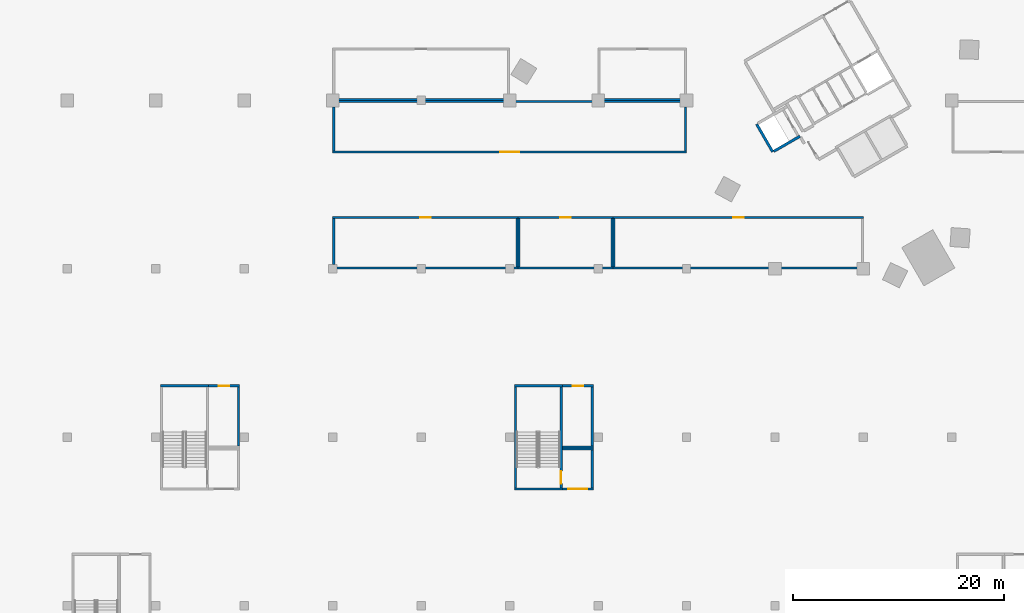
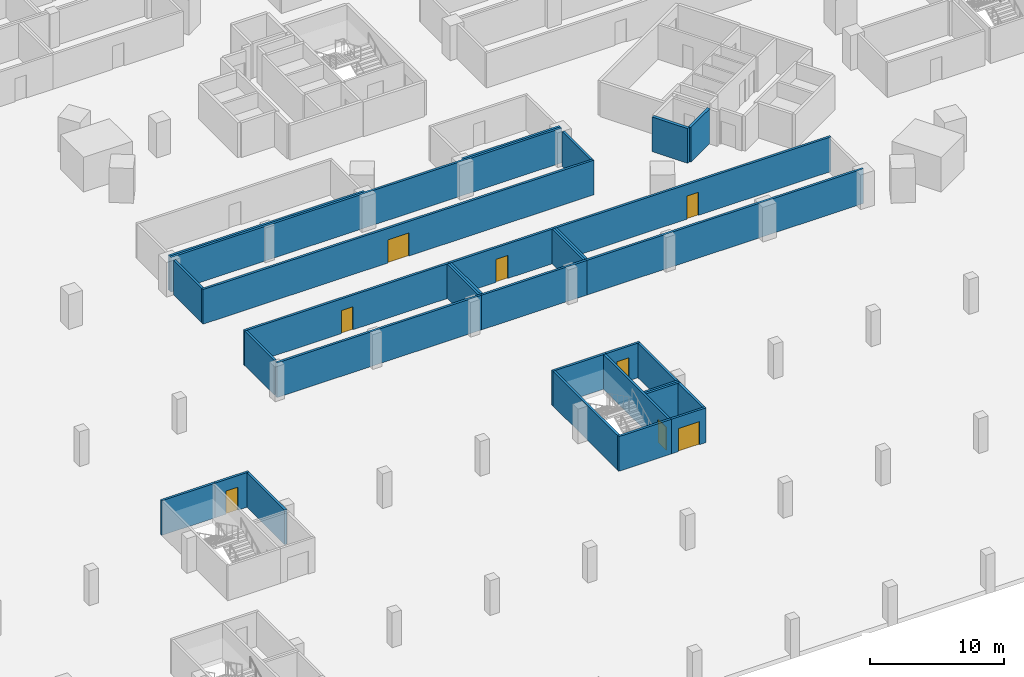
# One storey, part 6 of 37: 32 walls, 8 doors, 8 openings.
"""IFC4 building model written with IfcOpenShell, lengths in metres."""

import ifcopenshell
import ifcopenshell.guid

model = None  # the IFC model being written
_history = None  # IfcOwnerHistory: only IFC2X3 demands one
_inside = {}  # id of a spatial element -> (the spatial element, [elements in it])
_under = {}  # id of a project, library or spatial element -> (it, [spatial elements below it])
_declared = {}  # id of a project -> (the project, [libraries it declares])
_typed = {}  # id of a type object -> (the type object, [elements of that type])
_made_of = {}  # id of a material, layer set ... -> (it, [elements and type objects made of it])


def new_model(schema):
    """Start an empty IFC model of exactly this schema.

    Asked for "IFC4X3", IfcOpenShell would pick the latest addendum, in which some entities
    have other attributes; the version numbers below select the first issue.
    IFC2X3 requires an IfcOwnerHistory on every rooted entity: one is made here for all.
    """
    global model, _history
    if schema == "IFC4X3":
        model = ifcopenshell.file(schema_version=(4, 3, 0, 0))
    else:
        model = ifcopenshell.file(schema=schema)
    _inside.clear()
    _under.clear()
    _declared.clear()
    _typed.clear()
    _made_of.clear()
    _history = None
    if model.schema == "IFC2X3":
        org = make("IfcOrganization", Name="unknown")
        user = make(
            "IfcPersonAndOrganization",
            ThePerson=make("IfcPerson", FamilyName="unknown"),
            TheOrganization=org,
        )
        app = make(
            "IfcApplication",
            ApplicationDeveloper=org,
            Version="unknown",
            ApplicationFullName="unknown",
            ApplicationIdentifier="unknown",
        )
        _history = make(
            "IfcOwnerHistory",
            OwningUser=user,
            OwningApplication=app,
            ChangeAction="ADDED",
            CreationDate=0,
        )
    return model


def make(cls, **values):
    """One entity of the class cls with the attributes given. An attribute that is None is left unset."""
    return model.create_entity(
        cls, **{name: value for name, value in values.items() if value is not None}
    )


def rooted(cls, **values):
    """An entity with a GlobalId (a new one), such as an element, a storey or a relation."""
    return make(cls, GlobalId=ifcopenshell.guid.new(), OwnerHistory=_history, **values)


def si_unit(unit_type, name, prefix=None):
    """IfcSIUnit, for example si_unit("LENGTHUNIT", "METRE", prefix="MILLI")."""
    return make("IfcSIUnit", UnitType=unit_type, Prefix=prefix, Name=name)


def assignment(units):
    """IfcUnitAssignment: the units of a project."""
    return None if units is None else make("IfcUnitAssignment", Units=units)


def point(xyz):
    """IfcCartesianPoint."""
    return None if xyz is None else make("IfcCartesianPoint", Coordinates=xyz)


def direction(xyz):
    """IfcDirection."""
    return None if xyz is None else make("IfcDirection", DirectionRatios=xyz)


def frame(location, z_axis=None, x_axis=None):
    """IfcAxis2Placement3D, a coordinate frame: its origin and axes. An axis left out is left unset."""
    return make(
        "IfcAxis2Placement3D",
        Location=point(location),
        Axis=direction(z_axis),
        RefDirection=direction(x_axis),
    )


def frame_2d(location, x_axis=None):
    """IfcAxis2Placement2D, a coordinate frame in the plane: its origin and x axis."""
    return make(
        "IfcAxis2Placement2D", Location=point(location), RefDirection=direction(x_axis)
    )


def origin():
    """The frame at (0, 0, 0) with its axes left unset."""
    return frame((0.0, 0.0, 0.0))


def place(relative_to, where):
    """IfcLocalPlacement: puts the frame where relative to a parent placement (None: the world)."""
    return make(
        "IfcLocalPlacement", PlacementRelTo=relative_to, RelativePlacement=where
    )


def context(
    kind, dimensions, precision=None, world=None, true_north=None, identifier=None
):
    """IfcGeometricRepresentationContext, for example the 3D "Model" context."""
    return make(
        "IfcGeometricRepresentationContext",
        ContextIdentifier=identifier,
        ContextType=kind,
        CoordinateSpaceDimension=dimensions,
        Precision=precision,
        WorldCoordinateSystem=world,
        TrueNorth=true_north,
    )


def subcontext(parent, identifier, kind, view, scale=None):
    """IfcGeometricRepresentationSubContext, for example "Body" below "Model"."""
    return make(
        "IfcGeometricRepresentationSubContext",
        ContextIdentifier=identifier,
        ContextType=kind,
        ParentContext=parent,
        TargetScale=scale,
        TargetView=view,
    )


def project(units=None, contexts=None):
    """IfcProject with its units and contexts."""
    return rooted(
        "IfcProject",
        Name="project",
        RepresentationContexts=contexts,
        UnitsInContext=assignment(units),
    )


def spatial(cls, under=None, at=None, **own):
    """A site, building, storey or space (cls), placed at a placement, below another one or the project."""
    s = rooted(cls, ObjectPlacement=at, **own)
    if under is not None:
        _under.setdefault(under.id(), (under, []))[1].append(s)
    return s


def profile(cls, at=None, kind="AREA", **sizes):
    """A parametric profile (cls). Its sizes go by their IFC names, for example OverallWidth=200.0."""
    return make(cls, ProfileType=kind, Position=at, **sizes)


def rectangle(**sizes):
    """IfcRectangleProfileDef."""
    return profile("IfcRectangleProfileDef", **sizes)


def extrude(swept, where, along, depth):
    """IfcExtrudedAreaSolid: the profile swept, set in the frame where, extruded along a direction by depth."""
    return make(
        "IfcExtrudedAreaSolid",
        SweptArea=swept,
        Position=where,
        ExtrudedDirection=direction(along),
        Depth=depth,
    )


def shape(context_of_items, identifier, shape_type, items):
    """IfcShapeRepresentation: the items that make up one representation, for example the "Body"."""
    return make(
        "IfcShapeRepresentation",
        ContextOfItems=context_of_items,
        RepresentationIdentifier=identifier,
        RepresentationType=shape_type,
        Items=items,
    )


def material(Name=None, Category=None):
    """IfcMaterial."""
    return make("IfcMaterial", Name=Name, Category=Category)


def layer(
    of_material, thickness, ventilated=None, Name=None, Category=None, Priority=None
):
    """IfcMaterialLayer: one layer of a wall or slab, of a material (None: an air gap)."""
    return make(
        "IfcMaterialLayer",
        Material=of_material,
        LayerThickness=thickness,
        IsVentilated=ventilated,
        Name=Name,
        Category=Category,
        Priority=Priority,
    )


def layer_set(layers, Name=None):
    """IfcMaterialLayerSet."""
    return make("IfcMaterialLayerSet", MaterialLayers=layers, LayerSetName=Name)


def made_of(thing, what):
    """Note that an element or type object is made of a material, layer set ...; save() writes the relation."""
    if what is not None:
        _made_of.setdefault(what.id(), (what, []))[1].append(thing)
    return thing


def type_object(cls, material=None, **own):
    """A type object (cls), such as IfcWallType, which elements share."""
    return made_of(rooted(cls, **own), material)


def element(
    cls,
    number,
    at=None,
    inside=None,
    cuts=None,
    type_object=None,
    material=None,
    context=None,
    identifier="Body",
    shape_type=None,
    held_by="IfcProductDefinitionShape",
    body=None,
    shapes=None,
    **own,
):
    """One element of the class cls, such as IfcWall. Its Tag is "e" and its number.

    at: its placement. inside: the storey or other place that contains it. cuts: it is an
    opening in that element (IfcRelVoidsElement). A single representation is given by context,
    identifier, shape_type and body (its items); several are given by shapes. held_by: the class
    of the entity that holds the representations. save() writes the other relations.
    """
    e = rooted(cls, Tag="e%d" % number, ObjectPlacement=at, **own)
    if body is not None:
        shapes = [shape(context, identifier, shape_type, body)]
    if shapes is not None:
        e.Representation = make(held_by, Representations=shapes)
    if inside is not None:
        _inside.setdefault(inside.id(), (inside, []))[1].append(e)
    if cuts is not None:
        rooted(
            "IfcRelVoidsElement", RelatingBuildingElement=cuts, RelatedOpeningElement=e
        )
    if type_object is not None:
        _typed.setdefault(type_object.id(), (type_object, []))[1].append(e)
    return made_of(e, material)


def fill(opening, filler):
    """IfcRelFillsElement: the door or window that sits in an opening."""
    return rooted(
        "IfcRelFillsElement",
        RelatingOpeningElement=opening,
        RelatedBuildingElement=filler,
    )


def aggregate(whole, parts):
    """IfcRelAggregates: a whole, such as a stair, and the parts it consists of."""
    return rooted("IfcRelAggregates", RelatingObject=whole, RelatedObjects=parts)


def save(model, path):
    """Write the relations noted so far, then the file.

    IfcRelAggregates (storeys below a building ...), IfcRelContainedInSpatialStructure (elements
    in a storey), IfcRelDefinesByType, IfcRelAssociatesMaterial and IfcRelDeclares: one each for
    every whole, place, type object, material and project.
    """
    for whole, parts in _under.values():
        aggregate(whole, parts)
    for where, things in _inside.values():
        rooted(
            "IfcRelContainedInSpatialStructure",
            RelatedElements=things,
            RelatingStructure=where,
        )
    for kind, things in _typed.values():
        rooted("IfcRelDefinesByType", RelatedObjects=things, RelatingType=kind)
    for what, things in _made_of.values():
        rooted("IfcRelAssociatesMaterial", RelatedObjects=things, RelatingMaterial=what)
    for by, libraries in _declared.values():
        rooted("IfcRelDeclares", RelatingContext=by, RelatedDefinitions=libraries)
    model.write(path)


model = new_model("IFC4")

# Units and contexts
model_context = context("Model", 3, precision=1e-05, world=origin(), true_north=direction((0.0, 1.0)))
body_context = subcontext(model_context, "Body", "Model", "MODEL_VIEW")
ifc_project = project(units=[si_unit("LENGTHUNIT", "METRE"), si_unit("AREAUNIT", "SQUARE_METRE"), si_unit("VOLUMEUNIT", "CUBIC_METRE"), si_unit("PLANEANGLEUNIT", "RADIAN"), si_unit("MASSUNIT", "GRAM", prefix="KILO")], contexts=[model_context])

# Site, building, storey
site_placement = place(None, origin())
site = spatial("IfcSite", under=ifc_project, at=site_placement, CompositionType="ELEMENT")
building_placement = place(site_placement, origin())
building = spatial("IfcBuilding", under=site, at=building_placement, Name="Tamra Quay Hotel Tower", CompositionType="ELEMENT")
storey_placement = place(building_placement, frame((0.0, 0.0, -3.60009765625)))
storey = spatial("IfcBuildingStorey", under=building, at=storey_placement, Name="B1", CompositionType="ELEMENT", Elevation=-3.60009765625)

# Wall
ifc_material_1 = material(Name="Blockwork", Category="masonry")
ifc_layer_1 = layer(ifc_material_1, 0.199951171875)
ifc_layer_set_1 = layer_set([ifc_layer_1], Name="Car park room wall 200")
wall_type_1 = type_object("IfcWallType", Name="Car park room wall 200", PredefinedType="PARTITIONING", material=ifc_layer_set_1)
wall_1_placement = place(storey_placement, frame((-38.699951171875, -31.89990234375, 0.0), z_axis=(0.0, 0.0, 1.0), x_axis=(1.0, 0.0, 0.0)))
element("IfcWall", 1, at=wall_1_placement, inside=storey, type_object=wall_type_1, Name="PW", PredefinedType="PARTITIONING", context=body_context, shape_type="SweptSolid", body=[
    extrude(rectangle(XDim=17.599853515625, YDim=0.199951171875, at=frame_2d((8.7998046875, 0.0))), origin(), (0.0, 0.0, 1.0), 3.150146484375),
])

# Wall, opening, door
wall_2_placement = place(storey_placement, frame((-38.699951171875, -27.10009765625, 0.0), z_axis=(0.0, 0.0, 1.0), x_axis=(1.0, 0.0, 0.0)))
wall_2 = element("IfcWall", 2, at=wall_2_placement, inside=storey, type_object=wall_type_1, Name="PW", PredefinedType="PARTITIONING", context=body_context, shape_type="SweptSolid", body=[
    extrude(rectangle(XDim=17.599853515625, YDim=0.199951171875, at=frame_2d((8.7998046875, 0.0))), origin(), (0.0, 0.0, 1.0), 3.150146484375),
])
opening_1_placement = place(wall_2_placement, frame((8.300048828125, 0.0, 0.0)))
opening_1 = element("IfcOpeningElement", 3, at=opening_1_placement, cuts=wall_2, Name="Opening PD1", PredefinedType="OPENING", context=body_context, shape_type="SweptSolid", body=[
    extrude(rectangle(XDim=1.0, YDim=2.10009765625, at=frame_2d((0.5, 1.050048828125))), frame((0.0, 0.10986328125, 0.0), z_axis=(0.0, -1.0, 0.0), x_axis=(1.0, 0.0, 0.0)), (0.0, 0.0, 1.0), 0.219970703125),
])
ifc_material_2 = material(Name="Car park door 1000 x 2100")
door_type_1 = type_object("IfcDoorType", Name="Car park door 1000 x 2100", OperationType="NOTDEFINED", PredefinedType="DOOR", material=ifc_material_2)
door_1_placement = place(opening_1_placement, origin())
door_1 = element("IfcDoor", 4, at=door_1_placement, inside=storey, type_object=door_type_1, Name="PD1", OperationType="SINGLE_SWING_LEFT", OverallHeight=2.10009765625, OverallWidth=1.0, PredefinedType="DOOR", context=body_context, shape_type="SweptSolid", body=[
    extrude(rectangle(XDim=1.0, YDim=2.10009765625, at=frame_2d((0.5, 1.050048828125))), frame((0.0, 0.02490234375, 0.0), z_axis=(0.0, -1.0, 0.0), x_axis=(1.0, 0.0, 0.0)), (0.0, 0.0, 1.0), 0.050048828125),
])
fill(opening_1, door_1)

# Walls
wall_3_placement = place(storey_placement, frame((-38.60009765625, -31.60009765625, 0.0), z_axis=(0.0, 0.0, 1.0), x_axis=(0.0, 1.0, 0.0)))
element("IfcWall", 5, at=wall_3_placement, inside=storey, type_object=wall_type_1, Name="PW", PredefinedType="PARTITIONING", context=body_context, shape_type="SweptSolid", body=[
    extrude(rectangle(XDim=4.400146484375, YDim=0.199951171875, at=frame_2d((2.2001953125, 0.0))), origin(), (0.0, 0.0, 1.0), 3.150146484375),
])
wall_4_placement = place(storey_placement, frame((-21.199951171875, -31.800048828125, 0.0), z_axis=(0.0, 0.0, 1.0), x_axis=(0.0, 1.0, 0.0)))
element("IfcWall", 6, at=wall_4_placement, inside=storey, type_object=wall_type_1, Name="PW", PredefinedType="PARTITIONING", context=body_context, shape_type="SweptSolid", body=[
    extrude(rectangle(XDim=4.60009765625, YDim=0.199951171875, at=frame_2d((2.300048828125, 0.0))), origin(), (0.0, 0.0, 1.0), 3.150146484375),
])
wall_5_placement = place(storey_placement, frame((-21.10009765625, -31.89990234375, 0.0), z_axis=(0.0, 0.0, 1.0), x_axis=(1.0, 0.0, 0.0)))
element("IfcWall", 7, at=wall_5_placement, inside=storey, type_object=wall_type_1, Name="PW", PredefinedType="PARTITIONING", context=body_context, shape_type="SweptSolid", body=[
    extrude(rectangle(XDim=9.027099609375, YDim=0.199951171875, at=frame_2d((4.513671875, 0.0))), origin(), (0.0, 0.0, 1.0), 3.150146484375),
])

# Wall, opening, door
wall_6_placement = place(storey_placement, frame((-21.10009765625, -27.10009765625, 0.0), z_axis=(0.0, 0.0, 1.0), x_axis=(1.0, 0.0, 0.0)))
wall_6 = element("IfcWall", 8, at=wall_6_placement, inside=storey, type_object=wall_type_1, Name="PW", PredefinedType="PARTITIONING", context=body_context, shape_type="SweptSolid", body=[
    extrude(rectangle(XDim=9.027099609375, YDim=0.199951171875, at=frame_2d((4.513671875, 0.0))), origin(), (0.0, 0.0, 1.0), 3.150146484375),
])
opening_2_placement = place(wall_6_placement, frame((4.013427734375, 0.0, 0.0)))
opening_2 = element("IfcOpeningElement", 9, at=opening_2_placement, cuts=wall_6, Name="Opening PD1", PredefinedType="OPENING", context=body_context, shape_type="SweptSolid", body=[
    extrude(rectangle(XDim=1.0, YDim=2.10009765625, at=frame_2d((0.5, 1.050048828125))), frame((0.0, 0.10986328125, 0.0), z_axis=(0.0, -1.0, 0.0), x_axis=(1.0, 0.0, 0.0)), (0.0, 0.0, 1.0), 0.219970703125),
])
door_2_placement = place(opening_2_placement, origin())
door_2 = element("IfcDoor", 10, at=door_2_placement, inside=storey, type_object=door_type_1, Name="PD1", OperationType="SINGLE_SWING_LEFT", OverallHeight=2.10009765625, OverallWidth=1.0, PredefinedType="DOOR", context=body_context, shape_type="SweptSolid", body=[
    extrude(rectangle(XDim=1.0, YDim=2.10009765625, at=frame_2d((0.5, 1.050048828125))), frame((0.0, 0.02490234375, 0.0), z_axis=(0.0, -1.0, 0.0), x_axis=(1.0, 0.0, 0.0)), (0.0, 0.0, 1.0), 0.050048828125),
])
fill(opening_2, door_2)

# Walls
for number, where, z_axis, x_axis, name in (
    (11, (-21.0, -31.800048828125, 0.0), (0.0, 0.0, 1.0), (0.0, 1.0, 0.0), "PW"),
    (12, (-12.173095703125, -31.800048828125, 0.0), (0.0, 0.0, 1.0), (0.0, 1.0, 0.0), "PW"),
):
    element("IfcWall", number, at=place(storey_placement, frame(where, z_axis=z_axis, x_axis=x_axis)), inside=storey, type_object=wall_type_1, Name=name, PredefinedType="PARTITIONING", context=body_context, shape_type="SweptSolid", body=[
        extrude(rectangle(XDim=4.60009765625, YDim=0.199951171875, at=frame_2d((2.300048828125, 0.0))), origin(), (0.0, 0.0, 1.0), 3.150146484375),
    ])
wall_7_placement = place(storey_placement, frame((-12.072998046875, -31.89990234375, 0.0), z_axis=(0.0, 0.0, 1.0), x_axis=(1.0, 0.0, 0.0)))
element("IfcWall", 13, at=wall_7_placement, inside=storey, type_object=wall_type_1, Name="PW", PredefinedType="PARTITIONING", context=body_context, shape_type="SweptSolid", body=[
    extrude(rectangle(XDim=23.77294921875, YDim=0.199951171875, at=frame_2d((11.886474609375, 0.0))), origin(), (0.0, 0.0, 1.0), 3.150146484375),
])

# Wall, opening, door
wall_8_placement = place(storey_placement, frame((-12.072998046875, -27.10009765625, 0.0), z_axis=(0.0, 0.0, 1.0), x_axis=(1.0, 0.0, 0.0)))
wall_8 = element("IfcWall", 14, at=wall_8_placement, inside=storey, type_object=wall_type_1, Name="PW", PredefinedType="PARTITIONING", context=body_context, shape_type="SweptSolid", body=[
    extrude(rectangle(XDim=23.77294921875, YDim=0.199951171875, at=frame_2d((11.886474609375, 0.0))), origin(), (0.0, 0.0, 1.0), 3.150146484375),
])
opening_3_placement = place(wall_8_placement, frame((11.38671875, 0.0, 0.0)))
opening_3 = element("IfcOpeningElement", 15, at=opening_3_placement, cuts=wall_8, Name="Opening PD1", PredefinedType="OPENING", context=body_context, shape_type="SweptSolid", body=[
    extrude(rectangle(XDim=1.0, YDim=2.10009765625, at=frame_2d((0.5, 1.050048828125))), frame((0.0, 0.10986328125, 0.0), z_axis=(0.0, -1.0, 0.0), x_axis=(1.0, 0.0, 0.0)), (0.0, 0.0, 1.0), 0.219970703125),
])
door_3_placement = place(opening_3_placement, origin())
door_3 = element("IfcDoor", 16, at=door_3_placement, inside=storey, type_object=door_type_1, Name="PD1", OperationType="SINGLE_SWING_LEFT", OverallHeight=2.10009765625, OverallWidth=1.0, PredefinedType="DOOR", context=body_context, shape_type="SweptSolid", body=[
    extrude(rectangle(XDim=1.0, YDim=2.10009765625, at=frame_2d((0.5, 1.050048828125))), frame((0.0, 0.02490234375, 0.0), z_axis=(0.0, -1.0, 0.0), x_axis=(1.0, 0.0, 0.0)), (0.0, 0.0, 1.0), 0.050048828125),
])
fill(opening_3, door_3)

# Wall
wall_9_placement = place(storey_placement, frame((-11.97314453125, -31.800048828125, 0.0), z_axis=(0.0, 0.0, 1.0), x_axis=(0.0, 1.0, 0.0)))
element("IfcWall", 17, at=wall_9_placement, inside=storey, type_object=wall_type_1, Name="PW", PredefinedType="PARTITIONING", context=body_context, shape_type="SweptSolid", body=[
    extrude(rectangle(XDim=4.60009765625, YDim=0.199951171875, at=frame_2d((2.300048828125, 0.0))), origin(), (0.0, 0.0, 1.0), 3.150146484375),
])

# Wall, opening, door
wall_10_placement = place(storey_placement, frame((-38.699951171875, -20.89990234375, 0.0), z_axis=(0.0, 0.0, 1.0), x_axis=(1.0, 0.0, 0.0)))
wall_10 = element("IfcWall", 18, at=wall_10_placement, inside=storey, type_object=wall_type_1, Name="PW", PredefinedType="PARTITIONING", context=body_context, shape_type="SweptSolid", body=[
    extrude(rectangle(XDim=33.599853515625, YDim=0.199951171875, at=frame_2d((16.7998046875, 0.0))), origin(), (0.0, 0.0, 1.0), 3.150146484375),
])
opening_4_placement = place(wall_10_placement, frame((15.89990234375, 0.0, 0.0)))
opening_4 = element("IfcOpeningElement", 19, at=opening_4_placement, cuts=wall_10, Name="Opening PD2", PredefinedType="OPENING", context=body_context, shape_type="SweptSolid", body=[
    extrude(rectangle(XDim=1.800048828125, YDim=2.10009765625, at=frame_2d((0.89990234375, 1.050048828125))), frame((0.0, 0.10986328125, 0.0), z_axis=(0.0, -1.0, 0.0), x_axis=(1.0, 0.0, 0.0)), (0.0, 0.0, 1.0), 0.219970703125),
])
ifc_material_3 = material(Name="Plant door 1800 x 2100")
door_type_2 = type_object("IfcDoorType", Name="Plant door 1800 x 2100", OperationType="DOUBLE_DOOR_SINGLE_SWING", PredefinedType="DOOR", material=ifc_material_3)
door_4_placement = place(opening_4_placement, origin())
door_4 = element("IfcDoor", 20, at=door_4_placement, inside=storey, type_object=door_type_2, Name="PD2", OperationType="DOUBLE_DOOR_SINGLE_SWING", OverallHeight=2.10009765625, OverallWidth=1.800048828125, PredefinedType="DOOR", context=body_context, shape_type="SweptSolid", body=[
    extrude(rectangle(XDim=1.800048828125, YDim=2.10009765625, at=frame_2d((0.89990234375, 1.050048828125))), frame((0.0, 0.02490234375, 0.0), z_axis=(0.0, -1.0, 0.0), x_axis=(1.0, 0.0, 0.0)), (0.0, 0.0, 1.0), 0.050048828125),
])
fill(opening_4, door_4)

# Walls
wall_11_placement = place(storey_placement, frame((-38.699951171875, -16.10009765625, 0.0), z_axis=(0.0, 0.0, 1.0), x_axis=(1.0, 0.0, 0.0)))
element("IfcWall", 21, at=wall_11_placement, inside=storey, type_object=wall_type_1, Name="PW", PredefinedType="PARTITIONING", context=body_context, shape_type="SweptSolid", body=[
    extrude(rectangle(XDim=33.599853515625, YDim=0.199951171875, at=frame_2d((16.7998046875, 0.0))), origin(), (0.0, 0.0, 1.0), 3.150146484375),
])
for number, where, z_axis, x_axis, name in (
    (22, (-38.60009765625, -20.800048828125, 0.0), (0.0, 0.0, 1.0), (0.0, 1.0, 0.0), "PW"),
    (23, (-5.199951171875, -20.800048828125, 0.0), (0.0, 0.0, 1.0), (0.0, 1.0, 0.0), "PW"),
):
    element("IfcWall", number, at=place(storey_placement, frame(where, z_axis=z_axis, x_axis=x_axis)), inside=storey, type_object=wall_type_1, Name=name, PredefinedType="PARTITIONING", context=body_context, shape_type="SweptSolid", body=[
        extrude(rectangle(XDim=4.199951171875, YDim=0.199951171875, at=frame_2d((2.10009765625, 0.0))), origin(), (0.0, 0.0, 1.0), 3.150146484375),
    ])
wall_12_placement = place(storey_placement, frame((-38.699951171875, -15.89990234375, 0.0), z_axis=(0.0, 0.0, 1.0), x_axis=(1.0, 0.0, 0.0)))
element("IfcWall", 24, at=wall_12_placement, inside=storey, type_object=wall_type_1, Name="PW", PredefinedType="PARTITIONING", context=body_context, shape_type="SweptSolid", body=[
    extrude(rectangle(XDim=16.800048828125, YDim=0.199951171875, at=frame_2d((8.39990234375, 0.0))), origin(), (0.0, 0.0, 1.0), 3.150146484375),
])
wall_13_placement = place(storey_placement, frame((-13.5, -15.89990234375, 0.0), z_axis=(0.0, 0.0, 1.0), x_axis=(1.0, 0.0, 0.0)))
element("IfcWall", 25, at=wall_13_placement, inside=storey, type_object=wall_type_1, Name="PW", PredefinedType="PARTITIONING", context=body_context, shape_type="SweptSolid", body=[
    extrude(rectangle(XDim=8.39990234375, YDim=0.199951171875, at=frame_2d((4.199951171875, 0.0))), origin(), (0.0, 0.0, 1.0), 3.150146484375),
])

# Wall, opening, door
wall_14_placement = place(storey_placement, frame((-50.5, -43.10009765625, 0.0), z_axis=(0.0, 0.0, 1.0), x_axis=(1.0, 0.0, 0.0)))
wall_14 = element("IfcWall", 26, at=wall_14_placement, inside=storey, type_object=wall_type_1, Name="PW", PredefinedType="PARTITIONING", context=body_context, shape_type="SweptSolid", body=[
    extrude(rectangle(XDim=2.949951171875, YDim=0.199951171875, at=frame_2d((1.47509765625, 0.0))), origin(), (0.0, 0.0, 1.0), 3.150146484375),
])
opening_5_placement = place(wall_14_placement, frame((0.97509765625, 0.0, 0.0)))
opening_5 = element("IfcOpeningElement", 27, at=opening_5_placement, cuts=wall_14, Name="Opening PD1", PredefinedType="OPENING", context=body_context, shape_type="SweptSolid", body=[
    extrude(rectangle(XDim=1.0, YDim=2.10009765625, at=frame_2d((0.5, 1.050048828125))), frame((0.0, 0.10986328125, 0.0), z_axis=(0.0, -1.0, 0.0), x_axis=(1.0, 0.0, 0.0)), (0.0, 0.0, 1.0), 0.219970703125),
])
door_5_placement = place(opening_5_placement, origin())
door_5 = element("IfcDoor", 28, at=door_5_placement, inside=storey, type_object=door_type_1, Name="PD1", OperationType="SINGLE_SWING_LEFT", OverallHeight=2.10009765625, OverallWidth=1.0, PredefinedType="DOOR", context=body_context, shape_type="SweptSolid", body=[
    extrude(rectangle(XDim=1.0, YDim=2.10009765625, at=frame_2d((0.5, 1.050048828125))), frame((0.0, 0.02490234375, 0.0), z_axis=(0.0, -1.0, 0.0), x_axis=(1.0, 0.0, 0.0)), (0.0, 0.0, 1.0), 0.050048828125),
])
fill(opening_5, door_5)

# Wall
wall_15_placement = place(storey_placement, frame((-47.64990234375, -48.800048828125, 0.0), z_axis=(0.0, 0.0, 1.0), x_axis=(0.0, 1.0, 0.0)))
element("IfcWall", 29, at=wall_15_placement, inside=storey, type_object=wall_type_1, Name="PW", PredefinedType="PARTITIONING", context=body_context, shape_type="SweptSolid", body=[
    extrude(rectangle(XDim=5.60009765625, YDim=0.199951171875, at=frame_2d((2.800048828125, 0.0))), origin(), (0.0, 0.0, 1.0), 3.150146484375),
])

# Wall, opening, door
wall_16_placement = place(storey_placement, frame((-16.89990234375, -52.89990234375, 0.0), z_axis=(0.0, 0.0, 1.0), x_axis=(1.0, 0.0, 0.0)))
wall_16 = element("IfcWall", 30, at=wall_16_placement, inside=storey, type_object=wall_type_1, Name="PW", PredefinedType="PARTITIONING", context=body_context, shape_type="SweptSolid", body=[
    extrude(rectangle(XDim=2.949951171875, YDim=0.199951171875, at=frame_2d((1.47509765625, 0.0))), origin(), (0.0, 0.0, 1.0), 3.150146484375),
])
opening_6_placement = place(wall_16_placement, frame((0.574951171875, 0.0, 0.0)))
opening_6 = element("IfcOpeningElement", 31, at=opening_6_placement, cuts=wall_16, Name="Opening PD2", PredefinedType="OPENING", context=body_context, shape_type="SweptSolid", body=[
    extrude(rectangle(XDim=1.800048828125, YDim=2.10009765625, at=frame_2d((0.89990234375, 1.050048828125))), frame((0.0, 0.10986328125, 0.0), z_axis=(0.0, -1.0, 0.0), x_axis=(1.0, 0.0, 0.0)), (0.0, 0.0, 1.0), 0.219970703125),
])
door_6_placement = place(opening_6_placement, origin())
door_6 = element("IfcDoor", 32, at=door_6_placement, inside=storey, type_object=door_type_2, Name="PD2", OperationType="DOUBLE_DOOR_SINGLE_SWING", OverallHeight=2.10009765625, OverallWidth=1.800048828125, PredefinedType="DOOR", context=body_context, shape_type="SweptSolid", body=[
    extrude(rectangle(XDim=1.800048828125, YDim=2.10009765625, at=frame_2d((0.89990234375, 1.050048828125))), frame((0.0, 0.02490234375, 0.0), z_axis=(0.0, -1.0, 0.0), x_axis=(1.0, 0.0, 0.0)), (0.0, 0.0, 1.0), 0.050048828125),
])
fill(opening_6, door_6)

# Walls
wall_17_placement = place(storey_placement, frame((-16.89990234375, -49.10009765625, 0.0), z_axis=(0.0, 0.0, 1.0), x_axis=(1.0, 0.0, 0.0)))
element("IfcWall", 33, at=wall_17_placement, inside=storey, type_object=wall_type_1, Name="PW", PredefinedType="PARTITIONING", context=body_context, shape_type="SweptSolid", body=[
    extrude(rectangle(XDim=2.949951171875, YDim=0.199951171875, at=frame_2d((1.47509765625, 0.0))), origin(), (0.0, 0.0, 1.0), 3.150146484375),
])
wall_18_placement = place(storey_placement, frame((-14.050048828125, -52.800048828125, 0.0), z_axis=(0.0, 0.0, 1.0), x_axis=(0.0, 1.0, 0.0)))
element("IfcWall", 34, at=wall_18_placement, inside=storey, type_object=wall_type_1, Name="PW", PredefinedType="PARTITIONING", context=body_context, shape_type="SweptSolid", body=[
    extrude(rectangle(XDim=3.60009765625, YDim=0.199951171875, at=frame_2d((1.800048828125, 0.0))), origin(), (0.0, 0.0, 1.0), 3.150146484375),
])
wall_19_placement = place(storey_placement, frame((-16.89990234375, -48.89990234375, 0.0), z_axis=(0.0, 0.0, 1.0), x_axis=(1.0, 0.0, 0.0)))
element("IfcWall", 35, at=wall_19_placement, inside=storey, type_object=wall_type_1, Name="PW", PredefinedType="PARTITIONING", context=body_context, shape_type="SweptSolid", body=[
    extrude(rectangle(XDim=2.949951171875, YDim=0.199951171875, at=frame_2d((1.47509765625, 0.0))), origin(), (0.0, 0.0, 1.0), 3.150146484375),
])

# Wall, opening, door
wall_20_placement = place(storey_placement, frame((-16.89990234375, -43.10009765625, 0.0), z_axis=(0.0, 0.0, 1.0), x_axis=(1.0, 0.0, 0.0)))
wall_20 = element("IfcWall", 36, at=wall_20_placement, inside=storey, type_object=wall_type_1, Name="PW", PredefinedType="PARTITIONING", context=body_context, shape_type="SweptSolid", body=[
    extrude(rectangle(XDim=2.949951171875, YDim=0.199951171875, at=frame_2d((1.47509765625, 0.0))), origin(), (0.0, 0.0, 1.0), 3.150146484375),
])
opening_7_placement = place(wall_20_placement, frame((0.97509765625, 0.0, 0.0)))
opening_7 = element("IfcOpeningElement", 37, at=opening_7_placement, cuts=wall_20, Name="Opening PD1", PredefinedType="OPENING", context=body_context, shape_type="SweptSolid", body=[
    extrude(rectangle(XDim=1.0, YDim=2.10009765625, at=frame_2d((0.5, 1.050048828125))), frame((0.0, 0.10986328125, 0.0), z_axis=(0.0, -1.0, 0.0), x_axis=(1.0, 0.0, 0.0)), (0.0, 0.0, 1.0), 0.219970703125),
])
door_7_placement = place(opening_7_placement, origin())
door_7 = element("IfcDoor", 38, at=door_7_placement, inside=storey, type_object=door_type_1, Name="PD1", OperationType="SINGLE_SWING_LEFT", OverallHeight=2.10009765625, OverallWidth=1.0, PredefinedType="DOOR", context=body_context, shape_type="SweptSolid", body=[
    extrude(rectangle(XDim=1.0, YDim=2.10009765625, at=frame_2d((0.5, 1.050048828125))), frame((0.0, 0.02490234375, 0.0), z_axis=(0.0, -1.0, 0.0), x_axis=(1.0, 0.0, 0.0)), (0.0, 0.0, 1.0), 0.050048828125),
])
fill(opening_7, door_7)

# Walls
wall_21_placement = place(storey_placement, frame((-14.050048828125, -48.800048828125, 0.0), z_axis=(0.0, 0.0, 1.0), x_axis=(0.0, 1.0, 0.0)))
element("IfcWall", 39, at=wall_21_placement, inside=storey, type_object=wall_type_1, Name="PW", PredefinedType="PARTITIONING", context=body_context, shape_type="SweptSolid", body=[
    extrude(rectangle(XDim=5.60009765625, YDim=0.199951171875, at=frame_2d((2.800048828125, 0.0))), origin(), (0.0, 0.0, 1.0), 3.150146484375),
])
ifc_material_4 = material(Name="Concrete M70", Category="concrete")
ifc_layer_2 = layer(ifc_material_4, 0.25)
ifc_layer_set_2 = layer_set([ifc_layer_2], Name="Concrete M70 core wall 250")
wall_type_2 = type_object("IfcWallType", Name="Concrete M70 core wall 250", PredefinedType="SHEAR", material=ifc_layer_set_2)
wall_22_placement = place(storey_placement, frame((3.085205078125, -20.893798828125, 0.0), z_axis=(0.0, 0.0, 1.0), x_axis=(-0.499978833458, 0.866037623948, 0.0)))
element("IfcWall", 40, at=wall_22_placement, inside=storey, type_object=wall_type_2, Name="CW1", PredefinedType="SHEAR", context=body_context, shape_type="SweptSolid", body=[
    extrude(rectangle(XDim=3.050048828125, YDim=0.25, at=frame_2d((1.52490234375, 0.0))), origin(), (0.0, 0.0, 1.0), 3.150146484375),
])
wall_23_placement = place(storey_placement, frame((5.6748046875, -19.39892578125, 0.0), z_axis=(0.0, 0.0, 1.0), x_axis=(-0.866026637627, -0.499997862916, 0.0)))
element("IfcWall", 41, at=wall_23_placement, inside=storey, type_object=wall_type_2, Name="CW1", PredefinedType="SHEAR", context=body_context, shape_type="SweptSolid", body=[
    extrude(rectangle(XDim=2.86474609375, YDim=0.25, at=frame_2d((1.432373046875, 0.0))), origin(), (0.0, 0.0, 1.0), 3.150146484375),
])
ifc_layer_3 = layer(ifc_material_4, 0.199951171875)
ifc_layer_set_3 = layer_set([ifc_layer_3], Name="Concrete M70 stair enclosure wall 200")
wall_type_3 = type_object("IfcWallType", Name="Concrete M70 stair enclosure wall 200", PredefinedType="SOLIDWALL", material=ifc_layer_set_3)
wall_24_placement = place(storey_placement, frame((-55.050048828125, -43.10009765625, 0.0), z_axis=(0.0, 0.0, 1.0), x_axis=(1.0, 0.0, 0.0)))
element("IfcWall", 42, at=wall_24_placement, inside=storey, type_object=wall_type_3, Name="SEW", PredefinedType="SOLIDWALL", context=body_context, shape_type="SweptSolid", body=[
    extrude(rectangle(XDim=4.550048828125, YDim=0.199951171875, at=frame_2d((2.27490234375, 0.0))), origin(), (0.0, 0.0, 1.0), 3.150146484375),
])
wall_25_placement = place(storey_placement, frame((-21.35009765625, -52.800048828125, 0.0), z_axis=(0.0, 0.0, 1.0), x_axis=(0.0, 1.0, 0.0)))
element("IfcWall", 43, at=wall_25_placement, inside=storey, type_object=wall_type_3, Name="SEW", PredefinedType="SOLIDWALL", context=body_context, shape_type="SweptSolid", body=[
    extrude(rectangle(XDim=9.60009765625, YDim=0.199951171875, at=frame_2d((4.800048828125, 0.0))), origin(), (0.0, 0.0, 1.0), 3.150146484375),
])

# Wall, opening, door
wall_26_placement = place(storey_placement, frame((-17.0, -52.800048828125, 0.0), z_axis=(0.0, 0.0, 1.0), x_axis=(0.0, 1.0, 0.0)))
wall_26 = element("IfcWall", 44, at=wall_26_placement, inside=storey, type_object=wall_type_3, Name="SEW", PredefinedType="SOLIDWALL", context=body_context, shape_type="SweptSolid", body=[
    extrude(rectangle(XDim=9.60009765625, YDim=0.199951171875, at=frame_2d((4.800048828125, 0.0))), origin(), (0.0, 0.0, 1.0), 3.150146484375),
])
opening_8_placement = place(wall_26_placement, frame((0.39990234375, 0.0, 0.0)))
opening_8 = element("IfcOpeningElement", 45, at=opening_8_placement, cuts=wall_26, Name="Opening SD1", PredefinedType="OPENING", context=body_context, shape_type="SweptSolid", body=[
    extrude(rectangle(XDim=1.199951171875, YDim=2.10009765625, at=frame_2d((0.60009765625, 1.050048828125))), frame((0.0, 0.10986328125, 0.0), z_axis=(0.0, -1.0, 0.0), x_axis=(1.0, 0.0, 0.0)), (0.0, 0.0, 1.0), 0.219970703125),
])
ifc_material_5 = material(Name="Stair door 1200 x 2100")
door_type_3 = type_object("IfcDoorType", Name="Stair door 1200 x 2100", OperationType="NOTDEFINED", PredefinedType="DOOR", material=ifc_material_5)
door_8_placement = place(opening_8_placement, origin())
door_8 = element("IfcDoor", 46, at=door_8_placement, inside=storey, type_object=door_type_3, Name="SD1", OperationType="SINGLE_SWING_LEFT", OverallHeight=2.10009765625, OverallWidth=1.199951171875, PredefinedType="DOOR", context=body_context, shape_type="SweptSolid", body=[
    extrude(rectangle(XDim=1.199951171875, YDim=2.10009765625, at=frame_2d((0.60009765625, 1.050048828125))), frame((0.0, 0.02490234375, 0.0), z_axis=(0.0, -1.0, 0.0), x_axis=(1.0, 0.0, 0.0)), (0.0, 0.0, 1.0), 0.050048828125),
])
fill(opening_8, door_8)

# Walls
for number, where, z_axis, x_axis, name in (
    (47, (-16.89990234375, -52.89990234375, 0.0), (0.0, 0.0, 1.0), (-1.0, 0.0, 0.0), "SEW"),
    (48, (-21.449951171875, -43.10009765625, 0.0), (0.0, 0.0, 1.0), (1.0, 0.0, 0.0), "SEW"),
):
    element("IfcWall", number, at=place(storey_placement, frame(where, z_axis=z_axis, x_axis=x_axis)), inside=storey, type_object=wall_type_3, Name=name, PredefinedType="SOLIDWALL", context=body_context, shape_type="SweptSolid", body=[
        extrude(rectangle(XDim=4.550048828125, YDim=0.199951171875, at=frame_2d((2.27490234375, 0.0))), origin(), (0.0, 0.0, 1.0), 3.150146484375),
    ])

save(model, "model.ifc")
